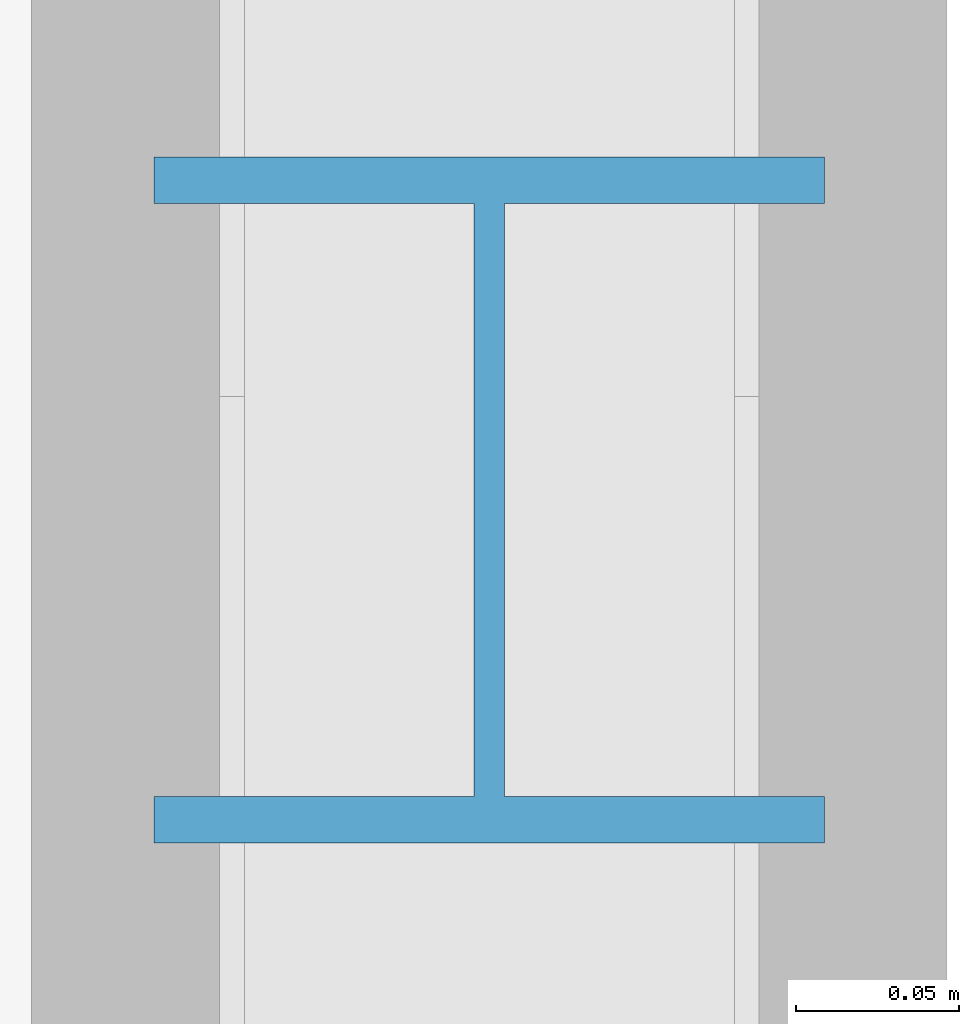
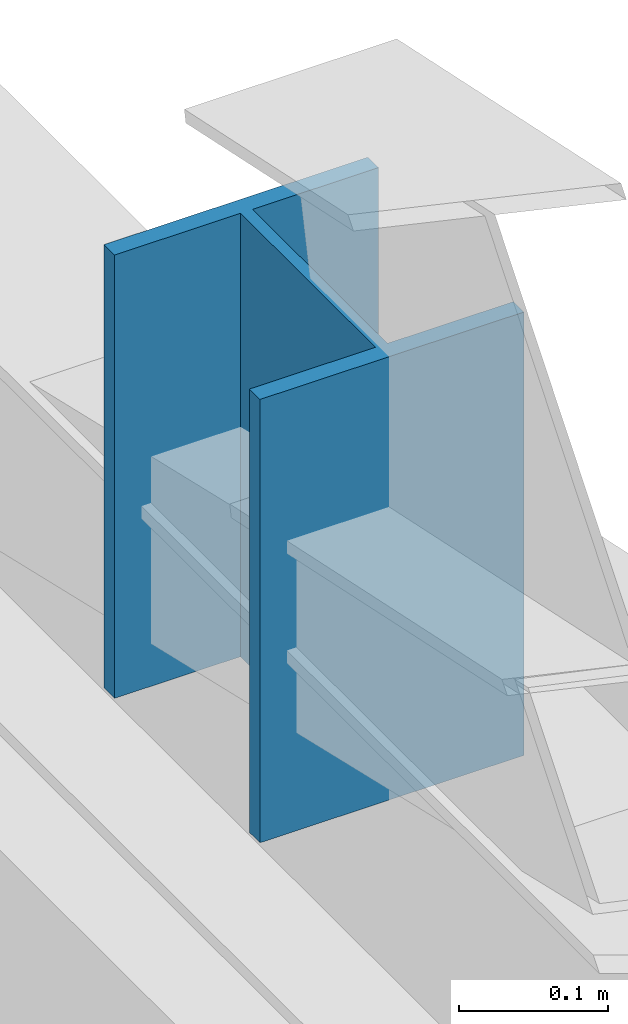
# One storey, part 50 of 92: 1 member.
"""IFC4 building model written with IfcOpenShell, lengths in metres."""

from ifc_helpers import new_model, si_unit, direction, frame, origin, origin_2d, place, context, subcontext, project, spatial, i_section, extrude, material, material_profile, profile_set, type_object, element, save


model = new_model("IFC4")

# Units and contexts
model_context = context("Model", 3, precision=1e-05, world=origin(), true_north=direction((0.0, 1.0)))
body_context = subcontext(model_context, "Body", "Model", "MODEL_VIEW")
ifc_project = project(units=[si_unit("LENGTHUNIT", "METRE"), si_unit("AREAUNIT", "SQUARE_METRE"), si_unit("VOLUMEUNIT", "CUBIC_METRE"), si_unit("PLANEANGLEUNIT", "RADIAN"), si_unit("MASSUNIT", "GRAM", prefix="KILO")], contexts=[model_context])

# Site, building, storey
site_placement = place(None, origin())
site = spatial("IfcSite", under=ifc_project, at=site_placement, CompositionType="ELEMENT")
building_placement = place(site_placement, origin())
building = spatial("IfcBuilding", under=site, at=building_placement, Name="Solanera Park Tramway Depot", CompositionType="ELEMENT")
storey_placement = place(building_placement, frame((0.0, 0.0, 4.800048828125)))
storey = spatial("IfcBuildingStorey", under=building, at=storey_placement, Name="L01", CompositionType="ELEMENT", Elevation=4.800048828125)

# Member
ifc_material = material(Name="Steel AS/NZS 3679.1 Grade 350", Category="steel")
ifc_material_profile = material_profile(ifc_material, i_section(OverallWidth=0.205078125, OverallDepth=0.209716796875, WebThickness=0.00927734375, FlangeThickness=0.01416015625, at=origin_2d()), Name="200UC59.5")
ifc_profile_set = profile_set([ifc_material_profile], Name="Steel AS/NZS 3679.1 Grade 350")
member_type = type_object("IfcMemberType", Name="Roof Gantry Compression Strut 200UC59.5", PredefinedType="STRUT", material=ifc_profile_set)
member_placement = place(storey_placement, frame((216.0, 140.800048828125, 3.64794921875), z_axis=(0.0, 0.0, 1.0), x_axis=(1.0, 0.0, 0.0)))
element("IfcMember", 1, at=member_placement, inside=storey, type_object=member_type, Name="Hip ROOF TRUSS Heel Post #0123", PredefinedType="STRUT", context=body_context, shape_type="SweptSolid", body=[
    extrude(i_section(OverallWidth=0.205078125, OverallDepth=0.209716796875, WebThickness=0.00927734375, FlangeThickness=0.01416015625, at=origin_2d()), origin(), (0.0, 0.0, 1.0), 0.364013671875),
])

save(model, "model.ifc")
